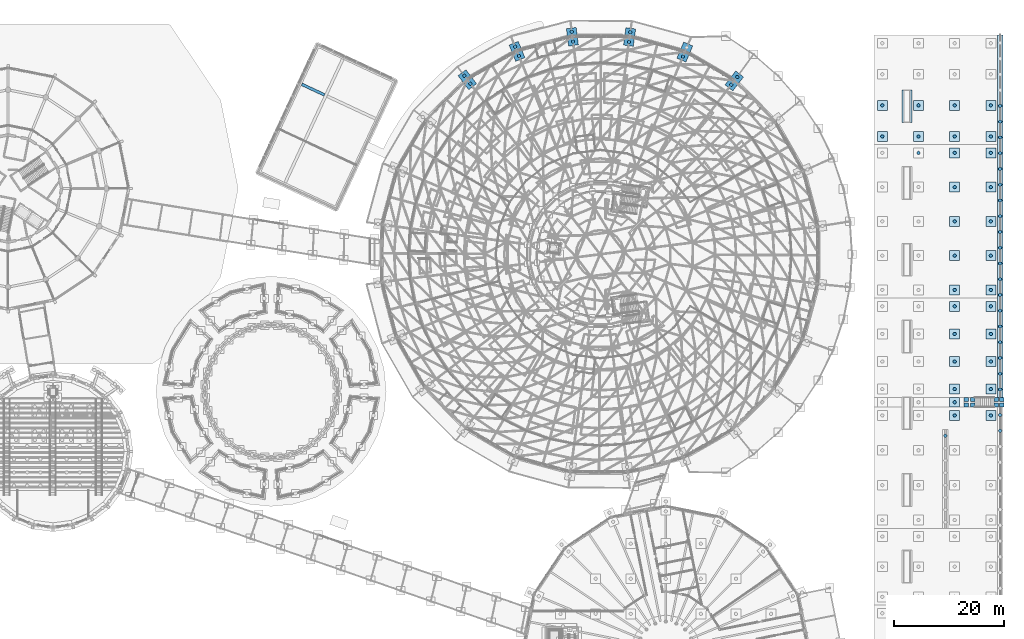
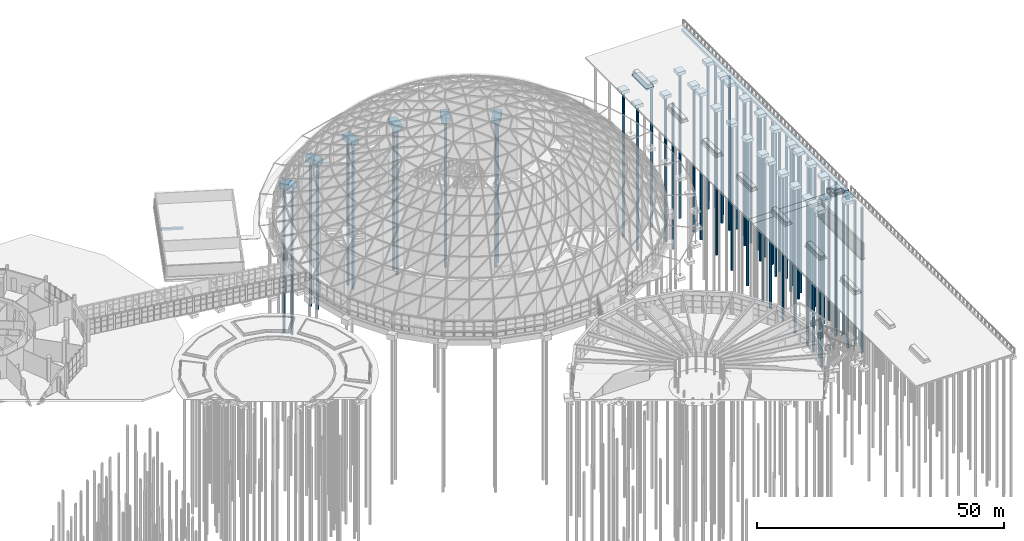
# One storey, part 11 of 226: 63 piles, 46 footings.
"""IFC4 building model written with IfcOpenShell, lengths in metres."""

from ifc_helpers import new_model, si_unit, direction, frame, origin, origin_2d, place, context, subcontext, project, spatial, polyline, circle, outline, extrude, material, layer, layer_set, material_profile, profile_set, type_object, element, save


model = new_model("IFC4")

# Units and contexts
model_context = context("Model", 3, precision=1e-05, world=origin(), true_north=direction((0.0, 1.0)))
body_context = subcontext(model_context, "Body", "Model", "MODEL_VIEW")
ifc_project = project(units=[si_unit("LENGTHUNIT", "METRE"), si_unit("AREAUNIT", "SQUARE_METRE"), si_unit("VOLUMEUNIT", "CUBIC_METRE"), si_unit("PLANEANGLEUNIT", "RADIAN"), si_unit("MASSUNIT", "GRAM", prefix="KILO")], contexts=[model_context])

# Site, building, storey
site_placement = place(None, origin())
site = spatial("IfcSite", under=ifc_project, at=site_placement, CompositionType="ELEMENT")
building_placement = place(site_placement, origin())
building = spatial("IfcBuilding", under=site, at=building_placement, Name="Ceibo Conservatory and Research Tower", CompositionType="ELEMENT")
storey_placement = place(building_placement, origin())
storey = spatial("IfcBuildingStorey", under=building, at=storey_placement, Name="L00", CompositionType="ELEMENT", Elevation=0.0)

# Footing
ifc_material_1 = material(Name="Concrete C40/50", Category="concrete")
ifc_layer_1 = layer(ifc_material_1, 0.5)
ifc_layer_set_1 = layer_set([ifc_layer_1], Name="Concrete C40/50")
footing_type_1 = type_object("IfcFootingType", Name="Annex strip footing 500", PredefinedType="STRIP_FOOTING", material=ifc_layer_set_1)
footing_1_placement = place(storey_placement, frame((0.0, 0.0, -0.75)))
element("IfcFooting", 1, at=footing_1_placement, inside=storey, type_object=footing_type_1, Name="Annex strip footing A-AXF3", PredefinedType="STRIP_FOOTING", context=body_context, shape_type="SweptSolid", body=[
    extrude(outline(polyline([(101.68017578125, 139.23291015625), (101.468994140625, 138.779541015625), (105.61669921875, 136.845458984375), (105.828125, 137.298583984375), (101.68017578125, 139.23291015625)])), origin(), (0.0, 0.0, 1.0), 0.5),
])

# Piles
ifc_material_2 = material(Name="Concrete C35/45", Category="concrete")
ifc_material_profile = material_profile(ifc_material_2, circle(Radius=0.300048828125, at=origin_2d()), Name="RC D600")
ifc_profile_set = profile_set([ifc_material_profile], Name="Concrete C35/45")
pile_type = type_object("IfcPileType", Name="Bored pile D600", PredefinedType="BORED", material=ifc_profile_set)
for number, where, z_axis, x_axis, name in (
    (2, (179.937744140625, 138.916015625, -1.300048828125), (0.0, 0.0, -1.0), (1.0, 0.0, 0.0), "Pile DA.CAP.L00.04 01"),
    (3, (181.039794921875, 140.339111328125, -1.300048828125), (0.0, 0.0, -1.0), (1.0, 0.0, 0.0), "Pile DA.CAP.L00.04 02"),
    (4, (171.120361328125, 144.05810546875, -1.300048828125), (0.0, 0.0, -1.0), (1.0, 0.0, 0.0), "Pile DA.CAP.L00.05 01"),
    (5, (161.272705078125, 146.742919921875, -1.300048828125), (0.0, 0.0, -1.0), (1.0, 0.0, 0.0), "Pile DA.CAP.L00.06 01"),
    (6, (161.515380859375, 148.5263671875, -1.300048828125), (0.0, 0.0, -1.0), (1.0, 0.0, 0.0), "Pile DA.CAP.L00.06 02"),
    (7, (151.065673828125, 146.787353515625, -1.300048828125), (0.0, 0.0, -1.0), (1.0, 0.0, 0.0), "Pile DA.CAP.L00.07 01"),
    (8, (150.83837890625, 148.572998046875, -1.300048828125), (0.0, 0.0, -1.0), (1.0, 0.0, 0.0), "Pile DA.CAP.L00.07 02"),
    (9, (141.19482421875, 144.188720703125, -1.300048828125), (0.0, 0.0, -1.0), (1.0, 0.0, 0.0), "Pile DA.CAP.L00.08 01"),
    (10, (140.51318359375, 145.8544921875, -1.300048828125), (0.0, 0.0, -1.0), (1.0, 0.0, 0.0), "Pile DA.CAP.L00.08 02"),
    (11, (132.3330078125, 139.123779296875, -1.300048828125), (0.0, 0.0, -1.0), (1.0, 0.0, 0.0), "Pile DA.CAP.L00.09 01"),
    (12, (131.243408203125, 140.556396484375, -1.300048828125), (0.0, 0.0, -1.0), (1.0, 0.0, 0.0), "Pile DA.CAP.L00.09 02"),
    (13, (219.0, 74.875, -0.699951171875), (0.0, 0.0, -1.0), (1.0, 0.0, 0.0), "Pile SITE.STRIP.WALL.L00.RELIEF 08"),
    (14, (229.0, 75.7890625, -1.39990234375), (0.0, 0.0, -1.0), (1.0, 0.0, 0.0), "Pile SITE.STRIP.WALL.L00.QUAY.S 22"),
    (15, (229.0, 78.6630859375, -1.39990234375), (0.0, 0.0, -1.0), (1.0, 0.0, 0.0), "Pile SITE.STRIP.WALL.L00.QUAY.S 23"),
    (16, (229.0, 83.3369140625, -1.39990234375), (0.0, 0.0, -1.0), (1.0, 0.0, 0.0), "Pile SITE.STRIP.WALL.L00.QUAY.N 01"),
    (17, (229.0, 86.2109375, -1.39990234375), (0.0, 0.0, -1.0), (1.0, 0.0, 0.0), "Pile SITE.STRIP.WALL.L00.QUAY.N 02"),
    (18, (229.0, 89.084716796875, -1.39990234375), (0.0, 0.0, -1.0), (1.0, 0.0, 0.0), "Pile SITE.STRIP.WALL.L00.QUAY.N 03"),
    (19, (229.0, 91.958740234375, -1.39990234375), (0.0, 0.0, -1.0), (1.0, 0.0, 0.0), "Pile SITE.STRIP.WALL.L00.QUAY.N 04"),
    (20, (229.0, 94.83251953125, -1.39990234375), (0.0, 0.0, -1.0), (1.0, 0.0, 0.0), "Pile SITE.STRIP.WALL.L00.QUAY.N 05"),
    (21, (229.0, 97.70654296875, -1.39990234375), (0.0, 0.0, -1.0), (1.0, 0.0, 0.0), "Pile SITE.STRIP.WALL.L00.QUAY.N 06"),
    (22, (229.0, 100.580322265625, -1.39990234375), (0.0, 0.0, -1.0), (1.0, 0.0, 0.0), "Pile SITE.STRIP.WALL.L00.QUAY.N 07"),
    (23, (229.0, 103.454345703125, -1.39990234375), (0.0, 0.0, -1.0), (1.0, 0.0, 0.0), "Pile SITE.STRIP.WALL.L00.QUAY.N 08"),
    (24, (229.0, 106.328369140625, -1.39990234375), (0.0, 0.0, -1.0), (1.0, 0.0, 0.0), "Pile SITE.STRIP.WALL.L00.QUAY.N 09"),
    (25, (229.0, 109.2021484375, -1.39990234375), (0.0, 0.0, -1.0), (1.0, 0.0, 0.0), "Pile SITE.STRIP.WALL.L00.QUAY.N 10"),
    (26, (229.0, 112.076171875, -1.39990234375), (0.0, 0.0, -1.0), (1.0, 0.0, 0.0), "Pile SITE.STRIP.WALL.L00.QUAY.N 11"),
    (27, (229.0, 114.949951171875, -1.39990234375), (0.0, 0.0, -1.0), (1.0, 0.0, 0.0), "Pile SITE.STRIP.WALL.L00.QUAY.N 12"),
    (28, (229.0, 117.823974609375, -1.39990234375), (0.0, 0.0, -1.0), (1.0, 0.0, 0.0), "Pile SITE.STRIP.WALL.L00.QUAY.N 13"),
    (29, (229.0, 120.69775390625, -1.39990234375), (0.0, 0.0, -1.0), (1.0, 0.0, 0.0), "Pile SITE.STRIP.WALL.L00.QUAY.N 14"),
    (30, (229.0, 123.57177734375, -1.39990234375), (0.0, 0.0, -1.0), (1.0, 0.0, 0.0), "Pile SITE.STRIP.WALL.L00.QUAY.N 15"),
    (31, (229.0, 126.445556640625, -1.39990234375), (0.0, 0.0, -1.0), (1.0, 0.0, 0.0), "Pile SITE.STRIP.WALL.L00.QUAY.N 16"),
    (32, (229.0, 129.319580078125, -1.39990234375), (0.0, 0.0, -1.0), (1.0, 0.0, 0.0), "Pile SITE.STRIP.WALL.L00.QUAY.N 17"),
    (33, (229.0, 132.193359375, -1.39990234375), (0.0, 0.0, -1.0), (1.0, 0.0, 0.0), "Pile SITE.STRIP.WALL.L00.QUAY.N 18"),
    (34, (229.0, 135.0673828125, -1.39990234375), (0.0, 0.0, -1.0), (1.0, 0.0, 0.0), "Pile SITE.STRIP.WALL.L00.QUAY.N 19"),
    (35, (220.699951171875, 78.60009765625, -1.14990234375), (0.0, 0.0, -1.0), (1.0, 0.0, 0.0), "Pile SITE.QDECK.CAP.N3.15 01"),
    (36, (227.300048828125, 78.60009765625, -1.14990234375), (0.0, 0.0, -1.0), (1.0, 0.0, 0.0), "Pile SITE.QDECK.CAP.N3.16 01"),
    (37, (220.699951171875, 81.0, -1.14990234375), (0.0, 0.0, -1.0), (1.0, 0.0, 0.0), "Pile SITE.QDECK.CAP.N3.19 01"),
    (38, (220.699951171875, 83.39990234375, -1.14990234375), (0.0, 0.0, -1.0), (1.0, 0.0, 0.0), "Pile SITE.QDECK.CAP.S1.03 01"),
    (39, (227.300048828125, 83.39990234375, -1.14990234375), (0.0, 0.0, -1.0), (1.0, 0.0, 0.0), "Pile SITE.QDECK.CAP.S1.04 01"),
    (40, (220.699951171875, 88.433349609375, -1.14990234375), (0.0, 0.0, -1.0), (1.0, 0.0, 0.0), "Pile SITE.QDECK.CAP.S1.07 01"),
    (41, (227.300048828125, 88.433349609375, -1.14990234375), (0.0, 0.0, -1.0), (1.0, 0.0, 0.0), "Pile SITE.QDECK.CAP.S1.08 01"),
    (42, (220.699951171875, 93.466552734375, -1.14990234375), (0.0, 0.0, -1.0), (1.0, 0.0, 0.0), "Pile SITE.QDECK.CAP.S1.11 01"),
    (43, (227.300048828125, 93.466552734375, -1.14990234375), (0.0, 0.0, -1.0), (1.0, 0.0, 0.0), "Pile SITE.QDECK.CAP.S1.12 01"),
    (44, (220.699951171875, 98.5, -1.14990234375), (0.0, 0.0, -1.0), (1.0, 0.0, 0.0), "Pile SITE.QDECK.CAP.S1.15 01"),
    (45, (227.300048828125, 98.5, -1.14990234375), (0.0, 0.0, -1.0), (1.0, 0.0, 0.0), "Pile SITE.QDECK.CAP.S1.16 01"),
    (46, (220.699951171875, 101.5, -1.14990234375), (0.0, 0.0, -1.0), (1.0, 0.0, 0.0), "Pile SITE.QDECK.CAP.S2.03 01"),
    (47, (227.300048828125, 101.5, -1.14990234375), (0.0, 0.0, -1.0), (1.0, 0.0, 0.0), "Pile SITE.QDECK.CAP.S2.04 01"),
    (48, (220.699951171875, 107.75, -1.14990234375), (0.0, 0.0, -1.0), (1.0, 0.0, 0.0), "Pile SITE.QDECK.CAP.S2.07 01"),
    (49, (227.300048828125, 107.75, -1.14990234375), (0.0, 0.0, -1.0), (1.0, 0.0, 0.0), "Pile SITE.QDECK.CAP.S2.08 01"),
    (50, (220.699951171875, 114.0, -1.14990234375), (0.0, 0.0, -1.0), (1.0, 0.0, 0.0), "Pile SITE.QDECK.CAP.S2.11 01"),
    (51, (227.300048828125, 114.0, -1.14990234375), (0.0, 0.0, -1.0), (1.0, 0.0, 0.0), "Pile SITE.QDECK.CAP.S2.12 01"),
    (52, (220.699951171875, 120.25, -1.14990234375), (0.0, 0.0, -1.0), (1.0, 0.0, 0.0), "Pile SITE.QDECK.CAP.S2.15 01"),
    (53, (227.300048828125, 120.25, -1.14990234375), (0.0, 0.0, -1.0), (1.0, 0.0, 0.0), "Pile SITE.QDECK.CAP.S2.16 01"),
    (54, (214.10009765625, 126.5, -1.14990234375), (0.0, 0.0, -1.0), (1.0, 0.0, 0.0), "Pile SITE.QDECK.CAP.S2.18 01"),
    (55, (220.699951171875, 126.5, -1.14990234375), (0.0, 0.0, -1.0), (1.0, 0.0, 0.0), "Pile SITE.QDECK.CAP.S2.19 01"),
    (56, (227.300048828125, 126.5, -1.14990234375), (0.0, 0.0, -1.0), (1.0, 0.0, 0.0), "Pile SITE.QDECK.CAP.S2.20 01"),
    (57, (207.5, 129.5, -1.14990234375), (0.0, 0.0, -1.0), (1.0, 0.0, 0.0), "Pile SITE.QDECK.CAP.S3.01 01"),
    (58, (214.10009765625, 129.5, -1.14990234375), (0.0, 0.0, -1.0), (1.0, 0.0, 0.0), "Pile SITE.QDECK.CAP.S3.02 01"),
    (59, (220.699951171875, 129.5, -1.14990234375), (0.0, 0.0, -1.0), (1.0, 0.0, 0.0), "Pile SITE.QDECK.CAP.S3.03 01"),
    (60, (227.300048828125, 129.5, -1.14990234375), (0.0, 0.0, -1.0), (1.0, 0.0, 0.0), "Pile SITE.QDECK.CAP.S3.04 01"),
    (61, (207.5, 135.166748046875, -1.14990234375), (0.0, 0.0, -1.0), (1.0, 0.0, 0.0), "Pile SITE.QDECK.CAP.S3.05 01"),
    (62, (214.10009765625, 135.166748046875, -1.14990234375), (0.0, 0.0, -1.0), (1.0, 0.0, 0.0), "Pile SITE.QDECK.CAP.S3.06 01"),
    (63, (220.699951171875, 135.166748046875, -1.14990234375), (0.0, 0.0, -1.0), (1.0, 0.0, 0.0), "Pile SITE.QDECK.CAP.S3.07 01"),
    (64, (227.300048828125, 135.166748046875, -1.14990234375), (0.0, 0.0, -1.0), (1.0, 0.0, 0.0), "Pile SITE.QDECK.CAP.S3.08 01"),
):
    element("IfcPile", number, at=place(storey_placement, frame(where, z_axis=z_axis, x_axis=x_axis)), inside=storey, type_object=pile_type, Name=name, PredefinedType="BORED", context=body_context, shape_type="SweptSolid", body=[
        extrude(circle(Radius=0.300048828125, at=origin_2d()), origin(), (0.0, 0.0, 1.0), 36.0),
    ])

# Footings
ifc_layer_2 = layer(ifc_material_1, 0.800048828125)
ifc_layer_set_2 = layer_set([ifc_layer_2], Name="Concrete C40/50")
footing_type_2 = type_object("IfcFootingType", Name="Pile cap 1800x1800x800", PredefinedType="PILE_CAP", material=ifc_layer_set_2)
footing_2_placement = place(storey_placement, frame((0.0, 0.0, -1.25)))
element("IfcFooting", 65, at=footing_2_placement, inside=storey, type_object=footing_type_2, Name="Quay deck pile cap N3-15", PredefinedType="PILE_CAP", context=body_context, shape_type="SweptSolid", body=[
    extrude(outline(polyline([(219.800048828125, 77.699951171875), (221.60009765625, 77.699951171875), (221.60009765625, 79.5), (219.800048828125, 79.5), (219.800048828125, 77.699951171875)])), origin(), (0.0, 0.0, 1.0), 0.800048828125),
])
footing_3_placement = place(storey_placement, frame((0.0, 0.0, -1.25)))
element("IfcFooting", 66, at=footing_3_placement, inside=storey, type_object=footing_type_2, Name="Quay deck pile cap N3-16", PredefinedType="PILE_CAP", context=body_context, shape_type="SweptSolid", body=[
    extrude(outline(polyline([(226.39990234375, 77.699951171875), (228.199951171875, 77.699951171875), (228.199951171875, 79.5), (226.39990234375, 79.5), (226.39990234375, 77.699951171875)])), origin(), (0.0, 0.0, 1.0), 0.800048828125),
])
footing_4_placement = place(storey_placement, frame((0.0, 0.0, -1.25)))
element("IfcFooting", 67, at=footing_4_placement, inside=storey, type_object=footing_type_2, Name="Quay deck pile cap N3-19", PredefinedType="PILE_CAP", context=body_context, shape_type="SweptSolid", body=[
    extrude(outline(polyline([(219.800048828125, 80.10009765625), (221.60009765625, 80.10009765625), (221.60009765625, 81.89990234375), (219.800048828125, 81.89990234375), (219.800048828125, 80.10009765625)])), origin(), (0.0, 0.0, 1.0), 0.800048828125),
])
footing_5_placement = place(storey_placement, frame((0.0, 0.0, -1.25)))
element("IfcFooting", 68, at=footing_5_placement, inside=storey, type_object=footing_type_2, Name="Quay deck pile cap S1-03", PredefinedType="PILE_CAP", context=body_context, shape_type="SweptSolid", body=[
    extrude(outline(polyline([(219.800048828125, 82.5), (221.60009765625, 82.5), (221.60009765625, 84.300048828125), (219.800048828125, 84.300048828125), (219.800048828125, 82.5)])), origin(), (0.0, 0.0, 1.0), 0.800048828125),
])
footing_6_placement = place(storey_placement, frame((0.0, 0.0, -1.25)))
element("IfcFooting", 69, at=footing_6_placement, inside=storey, type_object=footing_type_2, Name="Quay deck pile cap S1-04", PredefinedType="PILE_CAP", context=body_context, shape_type="SweptSolid", body=[
    extrude(outline(polyline([(226.39990234375, 82.5), (228.199951171875, 82.5), (228.199951171875, 84.300048828125), (226.39990234375, 84.300048828125), (226.39990234375, 82.5)])), origin(), (0.0, 0.0, 1.0), 0.800048828125),
])
footing_7_placement = place(storey_placement, frame((0.0, 0.0, -1.25)))
element("IfcFooting", 70, at=footing_7_placement, inside=storey, type_object=footing_type_2, Name="Quay deck pile cap S1-07", PredefinedType="PILE_CAP", context=body_context, shape_type="SweptSolid", body=[
    extrude(outline(polyline([(219.800048828125, 87.533447265625), (221.60009765625, 87.533447265625), (221.60009765625, 89.333251953125), (219.800048828125, 89.333251953125), (219.800048828125, 87.533447265625)])), origin(), (0.0, 0.0, 1.0), 0.800048828125),
])
footing_8_placement = place(storey_placement, frame((0.0, 0.0, -1.25)))
element("IfcFooting", 71, at=footing_8_placement, inside=storey, type_object=footing_type_2, Name="Quay deck pile cap S1-08", PredefinedType="PILE_CAP", context=body_context, shape_type="SweptSolid", body=[
    extrude(outline(polyline([(226.39990234375, 87.533447265625), (228.199951171875, 87.533447265625), (228.199951171875, 89.333251953125), (226.39990234375, 89.333251953125), (226.39990234375, 87.533447265625)])), origin(), (0.0, 0.0, 1.0), 0.800048828125),
])
footing_9_placement = place(storey_placement, frame((0.0, 0.0, -1.25)))
element("IfcFooting", 72, at=footing_9_placement, inside=storey, type_object=footing_type_2, Name="Quay deck pile cap S1-11", PredefinedType="PILE_CAP", context=body_context, shape_type="SweptSolid", body=[
    extrude(outline(polyline([(219.800048828125, 92.566650390625), (221.60009765625, 92.566650390625), (221.60009765625, 94.36669921875), (219.800048828125, 94.36669921875), (219.800048828125, 92.566650390625)])), origin(), (0.0, 0.0, 1.0), 0.800048828125),
])
footing_10_placement = place(storey_placement, frame((0.0, 0.0, -1.25)))
element("IfcFooting", 73, at=footing_10_placement, inside=storey, type_object=footing_type_2, Name="Quay deck pile cap S1-12", PredefinedType="PILE_CAP", context=body_context, shape_type="SweptSolid", body=[
    extrude(outline(polyline([(226.39990234375, 92.566650390625), (228.199951171875, 92.566650390625), (228.199951171875, 94.36669921875), (226.39990234375, 94.36669921875), (226.39990234375, 92.566650390625)])), origin(), (0.0, 0.0, 1.0), 0.800048828125),
])
footing_11_placement = place(storey_placement, frame((0.0, 0.0, -1.25)))
element("IfcFooting", 74, at=footing_11_placement, inside=storey, type_object=footing_type_2, Name="Quay deck pile cap S1-15", PredefinedType="PILE_CAP", context=body_context, shape_type="SweptSolid", body=[
    extrude(outline(polyline([(219.800048828125, 97.60009765625), (221.60009765625, 97.60009765625), (221.60009765625, 99.39990234375), (219.800048828125, 99.39990234375), (219.800048828125, 97.60009765625)])), origin(), (0.0, 0.0, 1.0), 0.800048828125),
])
footing_12_placement = place(storey_placement, frame((0.0, 0.0, -1.25)))
element("IfcFooting", 75, at=footing_12_placement, inside=storey, type_object=footing_type_2, Name="Quay deck pile cap S1-16", PredefinedType="PILE_CAP", context=body_context, shape_type="SweptSolid", body=[
    extrude(outline(polyline([(226.39990234375, 97.60009765625), (228.199951171875, 97.60009765625), (228.199951171875, 99.39990234375), (226.39990234375, 99.39990234375), (226.39990234375, 97.60009765625)])), origin(), (0.0, 0.0, 1.0), 0.800048828125),
])
footing_13_placement = place(storey_placement, frame((0.0, 0.0, -1.25)))
element("IfcFooting", 76, at=footing_13_placement, inside=storey, type_object=footing_type_2, Name="Quay deck pile cap S2-03", PredefinedType="PILE_CAP", context=body_context, shape_type="SweptSolid", body=[
    extrude(outline(polyline([(219.800048828125, 100.60009765625), (221.60009765625, 100.60009765625), (221.60009765625, 102.39990234375), (219.800048828125, 102.39990234375), (219.800048828125, 100.60009765625)])), origin(), (0.0, 0.0, 1.0), 0.800048828125),
])
footing_14_placement = place(storey_placement, frame((0.0, 0.0, -1.25)))
element("IfcFooting", 77, at=footing_14_placement, inside=storey, type_object=footing_type_2, Name="Quay deck pile cap S2-04", PredefinedType="PILE_CAP", context=body_context, shape_type="SweptSolid", body=[
    extrude(outline(polyline([(226.39990234375, 100.60009765625), (228.199951171875, 100.60009765625), (228.199951171875, 102.39990234375), (226.39990234375, 102.39990234375), (226.39990234375, 100.60009765625)])), origin(), (0.0, 0.0, 1.0), 0.800048828125),
])
footing_15_placement = place(storey_placement, frame((0.0, 0.0, -1.25)))
element("IfcFooting", 78, at=footing_15_placement, inside=storey, type_object=footing_type_2, Name="Quay deck pile cap S2-07", PredefinedType="PILE_CAP", context=body_context, shape_type="SweptSolid", body=[
    extrude(outline(polyline([(219.800048828125, 106.85009765625), (221.60009765625, 106.85009765625), (221.60009765625, 108.64990234375), (219.800048828125, 108.64990234375), (219.800048828125, 106.85009765625)])), origin(), (0.0, 0.0, 1.0), 0.800048828125),
])
footing_16_placement = place(storey_placement, frame((0.0, 0.0, -1.25)))
element("IfcFooting", 79, at=footing_16_placement, inside=storey, type_object=footing_type_2, Name="Quay deck pile cap S2-08", PredefinedType="PILE_CAP", context=body_context, shape_type="SweptSolid", body=[
    extrude(outline(polyline([(226.39990234375, 106.85009765625), (228.199951171875, 106.85009765625), (228.199951171875, 108.64990234375), (226.39990234375, 108.64990234375), (226.39990234375, 106.85009765625)])), origin(), (0.0, 0.0, 1.0), 0.800048828125),
])
footing_17_placement = place(storey_placement, frame((0.0, 0.0, -1.25)))
element("IfcFooting", 80, at=footing_17_placement, inside=storey, type_object=footing_type_2, Name="Quay deck pile cap S2-11", PredefinedType="PILE_CAP", context=body_context, shape_type="SweptSolid", body=[
    extrude(outline(polyline([(219.800048828125, 113.10009765625), (221.60009765625, 113.10009765625), (221.60009765625, 114.89990234375), (219.800048828125, 114.89990234375), (219.800048828125, 113.10009765625)])), origin(), (0.0, 0.0, 1.0), 0.800048828125),
])
footing_18_placement = place(storey_placement, frame((0.0, 0.0, -1.25)))
element("IfcFooting", 81, at=footing_18_placement, inside=storey, type_object=footing_type_2, Name="Quay deck pile cap S2-12", PredefinedType="PILE_CAP", context=body_context, shape_type="SweptSolid", body=[
    extrude(outline(polyline([(226.39990234375, 113.10009765625), (228.199951171875, 113.10009765625), (228.199951171875, 114.89990234375), (226.39990234375, 114.89990234375), (226.39990234375, 113.10009765625)])), origin(), (0.0, 0.0, 1.0), 0.800048828125),
])
footing_19_placement = place(storey_placement, frame((0.0, 0.0, -1.25)))
element("IfcFooting", 82, at=footing_19_placement, inside=storey, type_object=footing_type_2, Name="Quay deck pile cap S2-15", PredefinedType="PILE_CAP", context=body_context, shape_type="SweptSolid", body=[
    extrude(outline(polyline([(219.800048828125, 119.35009765625), (221.60009765625, 119.35009765625), (221.60009765625, 121.14990234375), (219.800048828125, 121.14990234375), (219.800048828125, 119.35009765625)])), origin(), (0.0, 0.0, 1.0), 0.800048828125),
])
footing_20_placement = place(storey_placement, frame((0.0, 0.0, -1.25)))
element("IfcFooting", 83, at=footing_20_placement, inside=storey, type_object=footing_type_2, Name="Quay deck pile cap S2-16", PredefinedType="PILE_CAP", context=body_context, shape_type="SweptSolid", body=[
    extrude(outline(polyline([(226.39990234375, 119.35009765625), (228.199951171875, 119.35009765625), (228.199951171875, 121.14990234375), (226.39990234375, 121.14990234375), (226.39990234375, 119.35009765625)])), origin(), (0.0, 0.0, 1.0), 0.800048828125),
])
footing_21_placement = place(storey_placement, frame((0.0, 0.0, -1.25)))
element("IfcFooting", 84, at=footing_21_placement, inside=storey, type_object=footing_type_2, Name="Quay deck pile cap S2-19", PredefinedType="PILE_CAP", context=body_context, shape_type="SweptSolid", body=[
    extrude(outline(polyline([(219.800048828125, 125.60009765625), (221.60009765625, 125.60009765625), (221.60009765625, 127.39990234375), (219.800048828125, 127.39990234375), (219.800048828125, 125.60009765625)])), origin(), (0.0, 0.0, 1.0), 0.800048828125),
])
footing_22_placement = place(storey_placement, frame((0.0, 0.0, -1.25)))
element("IfcFooting", 85, at=footing_22_placement, inside=storey, type_object=footing_type_2, Name="Quay deck pile cap S2-20", PredefinedType="PILE_CAP", context=body_context, shape_type="SweptSolid", body=[
    extrude(outline(polyline([(226.39990234375, 125.60009765625), (228.199951171875, 125.60009765625), (228.199951171875, 127.39990234375), (226.39990234375, 127.39990234375), (226.39990234375, 125.60009765625)])), origin(), (0.0, 0.0, 1.0), 0.800048828125),
])
footing_23_placement = place(storey_placement, frame((0.0, 0.0, -1.25)))
element("IfcFooting", 86, at=footing_23_placement, inside=storey, type_object=footing_type_2, Name="Quay deck pile cap S3-01", PredefinedType="PILE_CAP", context=body_context, shape_type="SweptSolid", body=[
    extrude(outline(polyline([(206.60009765625, 128.60009765625), (208.39990234375, 128.60009765625), (208.39990234375, 130.39990234375), (206.60009765625, 130.39990234375), (206.60009765625, 128.60009765625)])), origin(), (0.0, 0.0, 1.0), 0.800048828125),
])
footing_24_placement = place(storey_placement, frame((0.0, 0.0, -1.25)))
element("IfcFooting", 87, at=footing_24_placement, inside=storey, type_object=footing_type_2, Name="Quay deck pile cap S3-02", PredefinedType="PILE_CAP", context=body_context, shape_type="SweptSolid", body=[
    extrude(outline(polyline([(213.199951171875, 128.60009765625), (215.0, 128.60009765625), (215.0, 130.39990234375), (213.199951171875, 130.39990234375), (213.199951171875, 128.60009765625)])), origin(), (0.0, 0.0, 1.0), 0.800048828125),
])
footing_25_placement = place(storey_placement, frame((0.0, 0.0, -1.25)))
element("IfcFooting", 88, at=footing_25_placement, inside=storey, type_object=footing_type_2, Name="Quay deck pile cap S3-03", PredefinedType="PILE_CAP", context=body_context, shape_type="SweptSolid", body=[
    extrude(outline(polyline([(219.800048828125, 128.60009765625), (221.60009765625, 128.60009765625), (221.60009765625, 130.39990234375), (219.800048828125, 130.39990234375), (219.800048828125, 128.60009765625)])), origin(), (0.0, 0.0, 1.0), 0.800048828125),
])
footing_26_placement = place(storey_placement, frame((0.0, 0.0, -1.25)))
element("IfcFooting", 89, at=footing_26_placement, inside=storey, type_object=footing_type_2, Name="Quay deck pile cap S3-04", PredefinedType="PILE_CAP", context=body_context, shape_type="SweptSolid", body=[
    extrude(outline(polyline([(226.39990234375, 128.60009765625), (228.199951171875, 128.60009765625), (228.199951171875, 130.39990234375), (226.39990234375, 130.39990234375), (226.39990234375, 128.60009765625)])), origin(), (0.0, 0.0, 1.0), 0.800048828125),
])
footing_27_placement = place(storey_placement, frame((0.0, 0.0, -1.25)))
element("IfcFooting", 90, at=footing_27_placement, inside=storey, type_object=footing_type_2, Name="Quay deck pile cap S3-05", PredefinedType="PILE_CAP", context=body_context, shape_type="SweptSolid", body=[
    extrude(outline(polyline([(206.60009765625, 134.2666015625), (208.39990234375, 134.2666015625), (208.39990234375, 136.066650390625), (206.60009765625, 136.066650390625), (206.60009765625, 134.2666015625)])), origin(), (0.0, 0.0, 1.0), 0.800048828125),
])
footing_28_placement = place(storey_placement, frame((0.0, 0.0, -1.25)))
element("IfcFooting", 91, at=footing_28_placement, inside=storey, type_object=footing_type_2, Name="Quay deck pile cap S3-06", PredefinedType="PILE_CAP", context=body_context, shape_type="SweptSolid", body=[
    extrude(outline(polyline([(213.199951171875, 134.2666015625), (215.0, 134.2666015625), (215.0, 136.066650390625), (213.199951171875, 136.066650390625), (213.199951171875, 134.2666015625)])), origin(), (0.0, 0.0, 1.0), 0.800048828125),
])
footing_29_placement = place(storey_placement, frame((0.0, 0.0, -1.25)))
element("IfcFooting", 92, at=footing_29_placement, inside=storey, type_object=footing_type_2, Name="Quay deck pile cap S3-07", PredefinedType="PILE_CAP", context=body_context, shape_type="SweptSolid", body=[
    extrude(outline(polyline([(219.800048828125, 134.2666015625), (221.60009765625, 134.2666015625), (221.60009765625, 136.066650390625), (219.800048828125, 136.066650390625), (219.800048828125, 134.2666015625)])), origin(), (0.0, 0.0, 1.0), 0.800048828125),
])
footing_30_placement = place(storey_placement, frame((0.0, 0.0, -1.25)))
element("IfcFooting", 93, at=footing_30_placement, inside=storey, type_object=footing_type_2, Name="Quay deck pile cap S3-08", PredefinedType="PILE_CAP", context=body_context, shape_type="SweptSolid", body=[
    extrude(outline(polyline([(226.39990234375, 134.2666015625), (228.199951171875, 134.2666015625), (228.199951171875, 136.066650390625), (226.39990234375, 136.066650390625), (226.39990234375, 134.2666015625)])), origin(), (0.0, 0.0, 1.0), 0.800048828125),
])
ifc_layer_3 = layer(ifc_material_1, 1.39990234375)
ifc_layer_set_3 = layer_set([ifc_layer_3], Name="Concrete C40/50")
footing_type_3 = type_object("IfcFootingType", Name="Pile cap 3200x1800x1400", PredefinedType="PILE_CAP", material=ifc_layer_set_3)
for number, where, z_axis, x_axis, name in (
    (94, (180.220703125, 137.8115234375, -1.39990234375), (0.0, 0.0, 1.0), (0.612217167116, 0.790689661174, 0.0), "Pile cap DA.CAP.L00.04"),
    (95, (171.6796875, 143.064453125, -1.39990234375), (0.0, 0.0, 1.0), (0.386710953296, 0.922200975168, 0.0), "Pile cap DA.CAP.L00.05"),
    (96, (162.070068359375, 145.927978515625, -1.39990234375), (0.0, 0.0, 1.0), (0.134850932009, 0.990865897151, 0.0), "Pile cap DA.CAP.L00.06"),
    (97, (152.046875, 146.20654296875, -1.39990234375), (0.0, 0.0, 1.0), (-0.126199054713, 0.992004938793, 0.0), "Pile cap DA.CAP.L00.07"),
    (98, (142.29296875, 143.881591796875, -1.39990234375), (0.0, 0.0, 1.0), (-0.378648420887, 0.925540584393, 0.0), "Pile cap DA.CAP.L00.08"),
    (99, (133.47314453125, 139.111328125, -1.39990234375), (0.0, 0.0, 1.0), (-0.605293946101, 0.796002034428, 0.0), "Pile cap DA.CAP.L00.09"),
):
    element("IfcFooting", number, at=place(storey_placement, frame(where, z_axis=z_axis, x_axis=x_axis)), inside=storey, type_object=footing_type_3, Name=name, PredefinedType="PILE_CAP", context=body_context, shape_type="SweptSolid", body=[
        extrude(outline(polyline([(0.0, 0.0), (3.199951171875, 0.0), (3.199951171875, 1.800048828125), (0.0, 1.800048828125), (0.0, 0.0)])), origin(), (0.0, 0.0, 1.0), 1.39990234375),
    ])
ifc_layer_4 = layer(ifc_material_2, 0.5)
ifc_layer_set_4 = layer_set([ifc_layer_4], Name="Concrete C35/45")
footing_type_4 = type_object("IfcFootingType", Name="Steps pad footing 800 x 800 x 500", PredefinedType="PAD_FOOTING", material=ifc_layer_set_4)
footing_31_placement = place(storey_placement, frame((0.0, 0.0, -0.75)))
element("IfcFooting", 100, at=footing_31_placement, inside=storey, type_object=footing_type_4, Name="Quay head pad footing 1", PredefinedType="PAD_FOOTING", context=body_context, shape_type="SweptSolid", body=[
    extrude(outline(polyline([(222.39990234375, 80.10009765625), (223.199951171875, 80.10009765625), (223.199951171875, 80.89990234375), (222.39990234375, 80.89990234375), (222.39990234375, 80.10009765625)])), origin(), (0.0, 0.0, 1.0), 0.5),
])
footing_32_placement = place(storey_placement, frame((0.0, 0.0, -0.75)))
element("IfcFooting", 101, at=footing_32_placement, inside=storey, type_object=footing_type_4, Name="Quay head pad footing 2", PredefinedType="PAD_FOOTING", context=body_context, shape_type="SweptSolid", body=[
    extrude(outline(polyline([(223.60009765625, 80.10009765625), (224.39990234375, 80.10009765625), (224.39990234375, 80.89990234375), (223.60009765625, 80.89990234375), (223.60009765625, 80.10009765625)])), origin(), (0.0, 0.0, 1.0), 0.5),
])
footing_33_placement = place(storey_placement, frame((0.0, 0.0, -0.75)))
element("IfcFooting", 102, at=footing_33_placement, inside=storey, type_object=footing_type_4, Name="Quay head pad footing 3", PredefinedType="PAD_FOOTING", context=body_context, shape_type="SweptSolid", body=[
    extrude(outline(polyline([(222.39990234375, 81.10009765625), (223.199951171875, 81.10009765625), (223.199951171875, 81.89990234375), (222.39990234375, 81.89990234375), (222.39990234375, 81.10009765625)])), origin(), (0.0, 0.0, 1.0), 0.5),
])
footing_34_placement = place(storey_placement, frame((0.0, 0.0, -0.75)))
element("IfcFooting", 103, at=footing_34_placement, inside=storey, type_object=footing_type_4, Name="Quay head pad footing 4", PredefinedType="PAD_FOOTING", context=body_context, shape_type="SweptSolid", body=[
    extrude(outline(polyline([(223.60009765625, 81.10009765625), (224.39990234375, 81.10009765625), (224.39990234375, 81.89990234375), (223.60009765625, 81.89990234375), (223.60009765625, 81.10009765625)])), origin(), (0.0, 0.0, 1.0), 0.5),
])
footing_35_placement = place(storey_placement, frame((0.0, 0.0, -1.9599609375)))
element("IfcFooting", 104, at=footing_35_placement, inside=storey, type_object=footing_type_4, Name="Landing pad footing 1", PredefinedType="PAD_FOOTING", context=body_context, shape_type="SweptSolid", body=[
    extrude(outline(polyline([(227.89990234375, 80.10009765625), (228.699951171875, 80.10009765625), (228.699951171875, 80.89990234375), (227.89990234375, 80.89990234375), (227.89990234375, 80.10009765625)])), origin(), (0.0, 0.0, 1.0), 0.5),
])
footing_36_placement = place(storey_placement, frame((0.0, 0.0, -1.9599609375)))
element("IfcFooting", 105, at=footing_36_placement, inside=storey, type_object=footing_type_4, Name="Landing pad footing 2", PredefinedType="PAD_FOOTING", context=body_context, shape_type="SweptSolid", body=[
    extrude(outline(polyline([(228.89990234375, 80.10009765625), (229.699951171875, 80.10009765625), (229.699951171875, 80.89990234375), (228.89990234375, 80.89990234375), (228.89990234375, 80.10009765625)])), origin(), (0.0, 0.0, 1.0), 0.5),
])
footing_37_placement = place(storey_placement, frame((0.0, 0.0, -1.9599609375)))
element("IfcFooting", 106, at=footing_37_placement, inside=storey, type_object=footing_type_4, Name="Landing pad footing 3", PredefinedType="PAD_FOOTING", context=body_context, shape_type="SweptSolid", body=[
    extrude(outline(polyline([(227.89990234375, 81.10009765625), (228.699951171875, 81.10009765625), (228.699951171875, 81.89990234375), (227.89990234375, 81.89990234375), (227.89990234375, 81.10009765625)])), origin(), (0.0, 0.0, 1.0), 0.5),
])
footing_38_placement = place(storey_placement, frame((0.0, 0.0, -1.9599609375)))
element("IfcFooting", 107, at=footing_38_placement, inside=storey, type_object=footing_type_4, Name="Landing pad footing 4", PredefinedType="PAD_FOOTING", context=body_context, shape_type="SweptSolid", body=[
    extrude(outline(polyline([(228.89990234375, 81.10009765625), (229.699951171875, 81.10009765625), (229.699951171875, 81.89990234375), (228.89990234375, 81.89990234375), (228.89990234375, 81.10009765625)])), origin(), (0.0, 0.0, 1.0), 0.5),
])
ifc_layer_5 = layer(ifc_material_1, 0.60009765625)
ifc_layer_set_5 = layer_set([ifc_layer_5], Name="Concrete C40/50")
footing_type_5 = type_object("IfcFootingType", Name="Strip footing 1000x600", PredefinedType="STRIP_FOOTING", material=ifc_layer_set_5)
footing_39_placement = place(storey_placement, frame((0.0, 0.0, -1.5)))
element("IfcFooting", 108, at=footing_39_placement, inside=storey, type_object=footing_type_5, Name="Strip footing SITE.STRIP.WALL.L00.QUAY.N", PredefinedType="STRIP_FOOTING", context=body_context, shape_type="SweptSolid", body=[
    extrude(outline(polyline([(229.5, 81.89990234375), (229.5, 148.0), (228.5, 148.0), (228.5, 81.89990234375), (229.5, 81.89990234375)])), origin(), (0.0, 0.0, 1.0), 0.60009765625),
])
ifc_layer_6 = layer(ifc_material_1, 0.39990234375)
ifc_layer_set_6 = layer_set([ifc_layer_6], Name="Concrete C40/50")
footing_type_6 = type_object("IfcFootingType", Name="Strip footing 1800x400", PredefinedType="STRIP_FOOTING", material=ifc_layer_set_6)
footing_40_placement = place(storey_placement, frame((0.0, 0.0, -0.39990234375)))
element("IfcFooting", 109, at=footing_40_placement, inside=storey, type_object=footing_type_6, Name="Strip footing SITE.STRIP.PLANTER.L00.P09", PredefinedType="STRIP_FOOTING", context=body_context, shape_type="SweptSolid", body=[
    extrude(outline(polyline([(212.89990234375, 132.0), (212.89990234375, 138.0), (211.10009765625, 138.0), (211.10009765625, 132.0), (212.89990234375, 132.0)])), origin(), (0.0, 0.0, 1.0), 0.39990234375),
])

save(model, "model.ifc")
